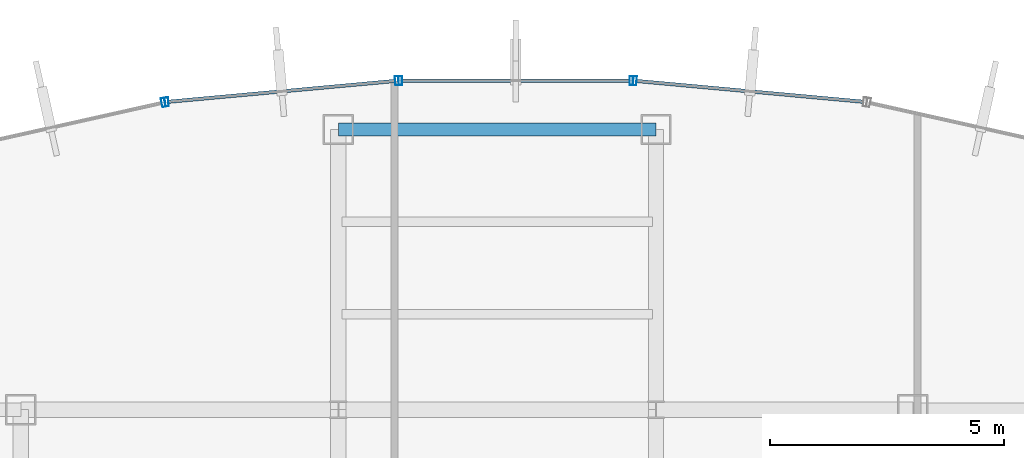
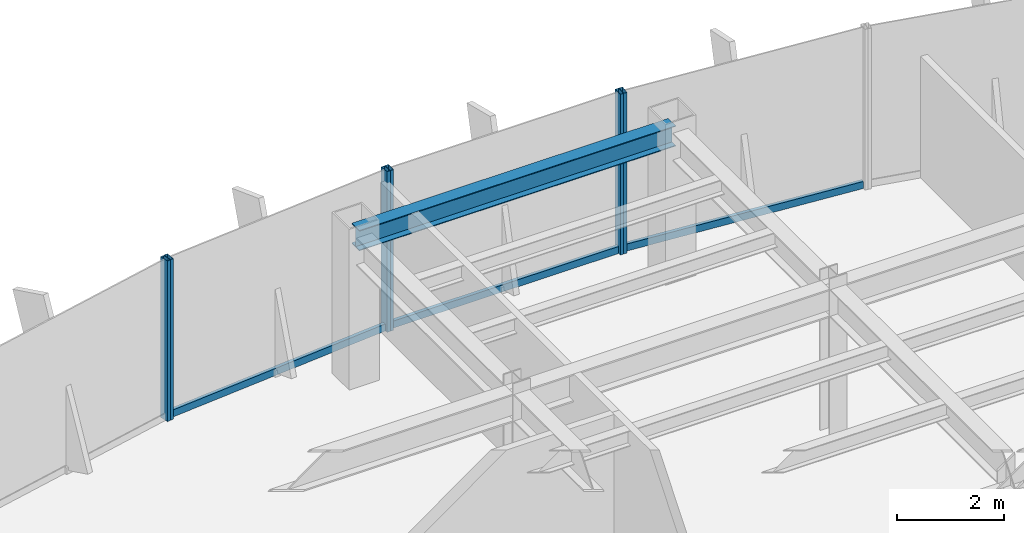
# One storey, part 15 of 23: 9 members, 1 beam, 4 elements without a shape of their own.
"""IFC4 building model written with IfcOpenShell, lengths in metres."""

import ifcopenshell
import ifcopenshell.guid

model = None  # the IFC model being written
_history = None  # IfcOwnerHistory: only IFC2X3 demands one
_inside = {}  # id of a spatial element -> (the spatial element, [elements in it])
_under = {}  # id of a project, library or spatial element -> (it, [spatial elements below it])
_declared = {}  # id of a project -> (the project, [libraries it declares])
_typed = {}  # id of a type object -> (the type object, [elements of that type])
_made_of = {}  # id of a material, layer set ... -> (it, [elements and type objects made of it])


def new_model(schema):
    """Start an empty IFC model of exactly this schema.

    Asked for "IFC4X3", IfcOpenShell would pick the latest addendum, in which some entities
    have other attributes; the version numbers below select the first issue.
    IFC2X3 requires an IfcOwnerHistory on every rooted entity: one is made here for all.
    """
    global model, _history
    if schema == "IFC4X3":
        model = ifcopenshell.file(schema_version=(4, 3, 0, 0))
    else:
        model = ifcopenshell.file(schema=schema)
    _inside.clear()
    _under.clear()
    _declared.clear()
    _typed.clear()
    _made_of.clear()
    _history = None
    if model.schema == "IFC2X3":
        org = make("IfcOrganization", Name="unknown")
        user = make(
            "IfcPersonAndOrganization",
            ThePerson=make("IfcPerson", FamilyName="unknown"),
            TheOrganization=org,
        )
        app = make(
            "IfcApplication",
            ApplicationDeveloper=org,
            Version="unknown",
            ApplicationFullName="unknown",
            ApplicationIdentifier="unknown",
        )
        _history = make(
            "IfcOwnerHistory",
            OwningUser=user,
            OwningApplication=app,
            ChangeAction="ADDED",
            CreationDate=0,
        )
    return model


def make(cls, **values):
    """One entity of the class cls with the attributes given. An attribute that is None is left unset."""
    return model.create_entity(
        cls, **{name: value for name, value in values.items() if value is not None}
    )


def rooted(cls, **values):
    """An entity with a GlobalId (a new one), such as an element, a storey or a relation."""
    return make(cls, GlobalId=ifcopenshell.guid.new(), OwnerHistory=_history, **values)


def si_unit(unit_type, name, prefix=None):
    """IfcSIUnit, for example si_unit("LENGTHUNIT", "METRE", prefix="MILLI")."""
    return make("IfcSIUnit", UnitType=unit_type, Prefix=prefix, Name=name)


def derived_unit(unit_type, elements):
    """IfcDerivedUnit: a product of units, each with its exponent."""
    return make(
        "IfcDerivedUnit",
        Elements=[
            make("IfcDerivedUnitElement", Unit=unit, Exponent=power)
            for unit, power in elements
        ],
        UnitType=unit_type,
    )


def assignment(units):
    """IfcUnitAssignment: the units of a project."""
    return None if units is None else make("IfcUnitAssignment", Units=units)


def point(xyz):
    """IfcCartesianPoint."""
    return None if xyz is None else make("IfcCartesianPoint", Coordinates=xyz)


def direction(xyz):
    """IfcDirection."""
    return None if xyz is None else make("IfcDirection", DirectionRatios=xyz)


def frame(location, z_axis=None, x_axis=None):
    """IfcAxis2Placement3D, a coordinate frame: its origin and axes. An axis left out is left unset."""
    return make(
        "IfcAxis2Placement3D",
        Location=point(location),
        Axis=direction(z_axis),
        RefDirection=direction(x_axis),
    )


def frame_2d(location, x_axis=None):
    """IfcAxis2Placement2D, a coordinate frame in the plane: its origin and x axis."""
    return make(
        "IfcAxis2Placement2D", Location=point(location), RefDirection=direction(x_axis)
    )


def origin():
    """The frame at (0, 0, 0) with its axes left unset."""
    return frame((0.0, 0.0, 0.0))


def origin_2d():
    """The frame at (0, 0) in the plane with its x axis left unset."""
    return frame_2d((0.0, 0.0))


def place(relative_to, where):
    """IfcLocalPlacement: puts the frame where relative to a parent placement (None: the world)."""
    return make(
        "IfcLocalPlacement", PlacementRelTo=relative_to, RelativePlacement=where
    )


def context(
    kind, dimensions, precision=None, world=None, true_north=None, identifier=None
):
    """IfcGeometricRepresentationContext, for example the 3D "Model" context."""
    return make(
        "IfcGeometricRepresentationContext",
        ContextIdentifier=identifier,
        ContextType=kind,
        CoordinateSpaceDimension=dimensions,
        Precision=precision,
        WorldCoordinateSystem=world,
        TrueNorth=true_north,
    )


def subcontext(parent, identifier, kind, view, scale=None):
    """IfcGeometricRepresentationSubContext, for example "Body" below "Model"."""
    return make(
        "IfcGeometricRepresentationSubContext",
        ContextIdentifier=identifier,
        ContextType=kind,
        ParentContext=parent,
        TargetScale=scale,
        TargetView=view,
    )


def project(units=None, contexts=None):
    """IfcProject with its units and contexts."""
    return rooted(
        "IfcProject",
        Name="project",
        RepresentationContexts=contexts,
        UnitsInContext=assignment(units),
    )


def spatial(cls, under=None, at=None, **own):
    """A site, building, storey or space (cls), placed at a placement, below another one or the project."""
    s = rooted(cls, ObjectPlacement=at, **own)
    if under is not None:
        _under.setdefault(under.id(), (under, []))[1].append(s)
    return s


def profile(cls, at=None, kind="AREA", **sizes):
    """A parametric profile (cls). Its sizes go by their IFC names, for example OverallWidth=200.0."""
    return make(cls, ProfileType=kind, Position=at, **sizes)


def hollow_rectangle(**sizes):
    """IfcRectangleHollowProfileDef."""
    return profile("IfcRectangleHollowProfileDef", **sizes)


def i_section(**sizes):
    """IfcIShapeProfileDef."""
    return profile("IfcIShapeProfileDef", **sizes)


def extrude(swept, where, along, depth):
    """IfcExtrudedAreaSolid: the profile swept, set in the frame where, extruded along a direction by depth."""
    return make(
        "IfcExtrudedAreaSolid",
        SweptArea=swept,
        Position=where,
        ExtrudedDirection=direction(along),
        Depth=depth,
    )


def shape(context_of_items, identifier, shape_type, items):
    """IfcShapeRepresentation: the items that make up one representation, for example the "Body"."""
    return make(
        "IfcShapeRepresentation",
        ContextOfItems=context_of_items,
        RepresentationIdentifier=identifier,
        RepresentationType=shape_type,
        Items=items,
    )


def source(mapping_origin, context_of_items, identifier, shape_type, items):
    """IfcRepresentationMap: a shape defined once, which mapped items show again and again."""
    return make(
        "IfcRepresentationMap",
        MappingOrigin=mapping_origin,
        MappedRepresentation=shape(context_of_items, identifier, shape_type, items),
    )


def transform(
    local_origin,
    x_axis=None,
    y_axis=None,
    z_axis=None,
    scale=None,
    scale2=None,
    scale3=None,
    uniform=True,
):
    """IfcCartesianTransformationOperator3D, or its non-uniform kind. x_axis, y_axis, z_axis: its Axis1, 2, 3."""
    if uniform:
        return make(
            "IfcCartesianTransformationOperator3D",
            Axis1=direction(x_axis),
            Axis2=direction(y_axis),
            LocalOrigin=point(local_origin),
            Scale=scale,
            Axis3=direction(z_axis),
        )
    return make(
        "IfcCartesianTransformationOperator3DnonUniform",
        Axis1=direction(x_axis),
        Axis2=direction(y_axis),
        LocalOrigin=point(local_origin),
        Scale=scale,
        Axis3=direction(z_axis),
        Scale2=scale2,
        Scale3=scale3,
    )


def mapped(mapping_source, mapping_target):
    """IfcMappedItem: shows the shape of a source again, moved by a transform."""
    return make(
        "IfcMappedItem", MappingSource=mapping_source, MappingTarget=mapping_target
    )


def material(Name=None, Category=None):
    """IfcMaterial."""
    return make("IfcMaterial", Name=Name, Category=Category)


def material_profile(
    of_material, cross_section, Name=None, Category=None, Priority=None
):
    """IfcMaterialProfile: a cross section and its material."""
    return make(
        "IfcMaterialProfile",
        Name=Name,
        Material=of_material,
        Profile=cross_section,
        Priority=Priority,
        Category=Category,
    )


def profile_set(profiles, Name=None, composite=None):
    """IfcMaterialProfileSet."""
    return make(
        "IfcMaterialProfileSet",
        Name=Name,
        MaterialProfiles=profiles,
        CompositeProfile=composite,
    )


def made_of(thing, what):
    """Note that an element or type object is made of a material, layer set ...; save() writes the relation."""
    if what is not None:
        _made_of.setdefault(what.id(), (what, []))[1].append(thing)
    return thing


def type_object(cls, material=None, **own):
    """A type object (cls), such as IfcWallType, which elements share."""
    return made_of(rooted(cls, **own), material)


def element(
    cls,
    number,
    at=None,
    inside=None,
    cuts=None,
    type_object=None,
    material=None,
    context=None,
    identifier="Body",
    shape_type=None,
    held_by="IfcProductDefinitionShape",
    body=None,
    shapes=None,
    **own,
):
    """One element of the class cls, such as IfcWall. Its Tag is "e" and its number.

    at: its placement. inside: the storey or other place that contains it. cuts: it is an
    opening in that element (IfcRelVoidsElement). A single representation is given by context,
    identifier, shape_type and body (its items); several are given by shapes. held_by: the class
    of the entity that holds the representations. save() writes the other relations.
    """
    e = rooted(cls, Tag="e%d" % number, ObjectPlacement=at, **own)
    if body is not None:
        shapes = [shape(context, identifier, shape_type, body)]
    if shapes is not None:
        e.Representation = make(held_by, Representations=shapes)
    if inside is not None:
        _inside.setdefault(inside.id(), (inside, []))[1].append(e)
    if cuts is not None:
        rooted(
            "IfcRelVoidsElement", RelatingBuildingElement=cuts, RelatedOpeningElement=e
        )
    if type_object is not None:
        _typed.setdefault(type_object.id(), (type_object, []))[1].append(e)
    return made_of(e, material)


def aggregate(whole, parts):
    """IfcRelAggregates: a whole, such as a stair, and the parts it consists of."""
    return rooted("IfcRelAggregates", RelatingObject=whole, RelatedObjects=parts)


def save(model, path):
    """Write the relations noted so far, then the file.

    IfcRelAggregates (storeys below a building ...), IfcRelContainedInSpatialStructure (elements
    in a storey), IfcRelDefinesByType, IfcRelAssociatesMaterial and IfcRelDeclares: one each for
    every whole, place, type object, material and project.
    """
    for whole, parts in _under.values():
        aggregate(whole, parts)
    for where, things in _inside.values():
        rooted(
            "IfcRelContainedInSpatialStructure",
            RelatedElements=things,
            RelatingStructure=where,
        )
    for kind, things in _typed.values():
        rooted("IfcRelDefinesByType", RelatedObjects=things, RelatingType=kind)
    for what, things in _made_of.values():
        rooted("IfcRelAssociatesMaterial", RelatedObjects=things, RelatingMaterial=what)
    for by, libraries in _declared.values():
        rooted("IfcRelDeclares", RelatingContext=by, RelatedDefinitions=libraries)
    model.write(path)


model = new_model("IFC4")

# Units and contexts
model_context = context("Model", 3, precision=1e-05, world=origin(), true_north=direction((0.0, 1.0)))
body_context = subcontext(model_context, "Body", "Model", "MODEL_VIEW")
ifc_project = project(units=[si_unit("LENGTHUNIT", "METRE"), si_unit("AREAUNIT", "SQUARE_METRE"), si_unit("VOLUMEUNIT", "CUBIC_METRE"), si_unit("PLANEANGLEUNIT", "RADIAN"), si_unit("MASSUNIT", "GRAM", prefix="KILO"), derived_unit("THERMALTRANSMITTANCEUNIT", [(si_unit("POWERUNIT", "WATT"), 1), (si_unit("LENGTHUNIT", "METRE"), -2), (si_unit("THERMODYNAMICTEMPERATUREUNIT", "KELVIN"), -1)])], contexts=[model_context])

# Site, building, storey
site_placement = place(None, origin())
site = spatial("IfcSite", under=ifc_project, at=site_placement, CompositionType="ELEMENT")
building_placement = place(site_placement, origin())
building = spatial("IfcBuilding", under=site, at=building_placement, Name="Skarnbrae Concourse Arena and Tower", CompositionType="ELEMENT")
storey_placement = place(building_placement, frame((0.0, 0.0, 140.60009765625)))
storey = spatial("IfcBuildingStorey", under=building, at=storey_placement, Name="L35", CompositionType="ELEMENT", Elevation=140.60009765625)

# Beam
ifc_material_1 = material(Name="Steel CSA G40.21 350W", Category="steel")
ifc_material_profile_1 = material_profile(ifc_material_1, i_section(OverallWidth=0.280029296875, OverallDepth=0.462890625, WebThickness=0.0107421875, FlangeThickness=0.017333984375, at=origin_2d()), Name="W460X113")
ifc_profile_set_1 = profile_set([ifc_material_profile_1], Name="Steel CSA G40.21 350W")
beam_type = type_object("IfcBeamType", Name="BM-SPAN-W460X113", PredefinedType="SPANDREL", material=ifc_profile_set_1)
shared_shape_1 = source(origin(), body_context, "Body", "SweptSolid", [
    extrude(i_section(OverallWidth=0.280029296875, OverallDepth=0.462890625, WebThickness=0.0107421875, FlangeThickness=0.017333984375, at=origin_2d()), origin(), (0.0, 0.0, 1.0), 6.800048828125),
])
beam_placement = place(storey_placement, frame((21.199951171875, 40.39990234375, 3.16845703125), z_axis=(1.0, 0.0, 0.0), x_axis=(0.0, 1.0, 0.0)))
element("IfcBeam", 1, at=beam_placement, inside=storey, type_object=beam_type, Name="L35 Perimeter spandrel Y40.4-1", PredefinedType="SPANDREL", context=body_context, shape_type="MappedRepresentation", body=[
    mapped(shared_shape_1, transform((0.0, 0.0, 0.0))),
])

# Curtain wall, member
ifc_material_2 = material(Name="Bronze anodised aluminium 6063-T6", Category="aluminium")
curtain_wall_type = type_object("IfcCurtainWallType", Name="CW-SYS-04-MIDZONE", PredefinedType="USERDEFINED", material=ifc_material_2)
curtain_wall_1_placement = place(storey_placement, origin())
curtain_wall_1 = element("IfcCurtainWall", 2, at=curtain_wall_1_placement, inside=storey, type_object=curtain_wall_type, Name="L35 Unitised curtain wall CW-L35-E10", ObjectType="UNITISED CURTAIN WALL", PredefinedType="USERDEFINED")
ifc_material_profile_2 = material_profile(ifc_material_2, hollow_rectangle(XDim=0.074951171875, YDim=0.195068359375, WallThickness=0.00439453125, at=origin_2d()), Name="ALU-MULL-75X195")
ifc_profile_set_2 = profile_set([ifc_material_profile_2], Name="Bronze anodised aluminium 6063-T6")
member_type_1 = type_object("IfcMemberType", Name="CWM-CW-04", PredefinedType="MULLION", material=ifc_profile_set_2)
shared_shape_2 = source(origin(), body_context, "Body", "SweptSolid", [
    extrude(hollow_rectangle(XDim=0.074951171875, YDim=0.195068359375, WallThickness=0.00439453125, at=origin_2d()), origin(), (0.0, 0.0, 1.0), 3.64990234375),
])
member_1_placement = place(storey_placement, frame((27.548583984375, 41.442138671875, 0.0), z_axis=(0.0, 0.0, 1.0), x_axis=(-0.995819926016, 0.091338244731, 0.0)))
member_1 = element("IfcMember", 3, at=member_1_placement, type_object=member_type_1, Name="CW-L35-E10 Mullion 2", PredefinedType="MULLION", context=body_context, shape_type="MappedRepresentation", body=[
    mapped(shared_shape_2, transform((0.0, 0.0, 0.0))),
])

# Curtain wall, members
curtain_wall_2_placement = place(storey_placement, origin())
curtain_wall_2 = element("IfcCurtainWall", 4, at=curtain_wall_2_placement, inside=storey, type_object=curtain_wall_type, Name="L35 Unitised curtain wall CW-L35-E11", ObjectType="UNITISED CURTAIN WALL", PredefinedType="USERDEFINED")
member_2_placement = place(storey_placement, frame((27.473876953125, 41.445556640625, 0.0), z_axis=(0.0, 0.0, 1.0), x_axis=(-1.0, 0.0, 0.0)))
member_2 = element("IfcMember", 5, at=member_2_placement, type_object=member_type_1, Name="CW-L35-E11 Mullion 1", PredefinedType="MULLION", context=body_context, shape_type="MappedRepresentation", body=[
    mapped(shared_shape_2, transform((0.0, 0.0, 0.0))),
])
member_3_placement = place(storey_placement, frame((22.526123046875, 41.445556640625, 0.0), z_axis=(0.0, 0.0, 1.0), x_axis=(-1.0, 0.0, 0.0)))
member_3 = element("IfcMember", 6, at=member_3_placement, type_object=member_type_1, Name="CW-L35-E11 Mullion 2", PredefinedType="MULLION", context=body_context, shape_type="MappedRepresentation", body=[
    mapped(shared_shape_2, transform((0.0, 0.0, 0.0))),
])

curtain_wall_3_placement = place(storey_placement, origin())
curtain_wall_3 = element("IfcCurtainWall", 7, at=curtain_wall_3_placement, inside=storey, type_object=curtain_wall_type, Name="L35 Unitised curtain wall CW-L35-E12", ObjectType="UNITISED CURTAIN WALL", PredefinedType="USERDEFINED")
member_4_placement = place(storey_placement, frame((22.451416015625, 41.442138671875, 0.0), z_axis=(0.0, 0.0, 1.0), x_axis=(-0.995819926016, -0.091338244731, 0.0)))
member_4 = element("IfcMember", 8, at=member_4_placement, type_object=member_type_1, Name="CW-L35-E12 Mullion 1", PredefinedType="MULLION", context=body_context, shape_type="MappedRepresentation", body=[
    mapped(shared_shape_2, transform((0.0, 0.0, 0.0))),
])
member_5_placement = place(storey_placement, frame((17.52490234375, 40.990234375, 0.0), z_axis=(0.0, 0.0, 1.0), x_axis=(-0.995819926016, -0.091338244731, 0.0)))
member_5 = element("IfcMember", 9, at=member_5_placement, type_object=member_type_1, Name="CW-L35-E12 Mullion 2", PredefinedType="MULLION", context=body_context, shape_type="MappedRepresentation", body=[
    mapped(shared_shape_2, transform((0.0, 0.0, 0.0))),
])

# Curtain wall, member
curtain_wall_4_placement = place(storey_placement, origin())
curtain_wall_4 = element("IfcCurtainWall", 10, at=curtain_wall_4_placement, inside=storey, type_object=curtain_wall_type, Name="L35 Unitised curtain wall CW-L35-E13", ObjectType="UNITISED CURTAIN WALL", PredefinedType="USERDEFINED")
member_6_placement = place(storey_placement, frame((17.451171875, 40.978759765625, 0.0), z_axis=(0.0, 0.0, 1.0), x_axis=(-0.975936175393, -0.218056372433, 0.0)))
member_6 = element("IfcMember", 11, at=member_6_placement, type_object=member_type_1, Name="CW-L35-E13 Mullion 1", PredefinedType="MULLION", context=body_context, shape_type="MappedRepresentation", body=[
    mapped(shared_shape_2, transform((0.0, 0.0, 0.0))),
])
aggregate(curtain_wall_4, [member_6])

# Member
ifc_material_profile_3 = material_profile(ifc_material_2, hollow_rectangle(XDim=0.074951171875, YDim=0.159912109375, WallThickness=0.00439453125, at=origin_2d()), Name="ALU-TRAN-75X160")
ifc_profile_set_3 = profile_set([ifc_material_profile_3], Name="Bronze anodised aluminium 6063-T6")
member_type_2 = type_object("IfcMemberType", Name="CWT-CW-04", PredefinedType="USERDEFINED", material=ifc_profile_set_3)
shared_shape_3 = source(origin(), body_context, "Body", "SweptSolid", [
    extrude(hollow_rectangle(XDim=0.074951171875, YDim=0.159912109375, WallThickness=0.00439453125, at=origin_2d()), origin(), (0.0, 0.0, 1.0), 4.871826171875),
])
member_7_placement = place(storey_placement, frame((32.4375, 40.993896484375, 0.079833984375), z_axis=(-0.99582308224, 0.091303827287, 0.0), x_axis=(-0.091303827287, -0.99582308224, 0.0)))
member_7 = element("IfcMember", 12, at=member_7_placement, type_object=member_type_2, Name="CW-L35-E10 Transom 1", ObjectType="TRANSOM", PredefinedType="USERDEFINED", context=body_context, shape_type="MappedRepresentation", body=[
    mapped(shared_shape_3, transform((0.0, 0.0, 0.0))),
])

aggregate(curtain_wall_1, [member_1, member_7])

member_8_placement = place(storey_placement, frame((22.4140625, 41.438720703125, 0.079833984375), z_axis=(-0.99582308224, -0.091303827287, 0.0), x_axis=(0.091303827287, -0.99582308224, 0.0)))
member_8 = element("IfcMember", 13, at=member_8_placement, type_object=member_type_2, Name="CW-L35-E12 Transom 1", ObjectType="TRANSOM", PredefinedType="USERDEFINED", context=body_context, shape_type="MappedRepresentation", body=[
    mapped(shared_shape_3, transform((0.0, 0.0, 0.0))),
])

aggregate(curtain_wall_3, [member_4, member_5, member_8])

shared_shape_4 = source(origin(), body_context, "Body", "SweptSolid", [
    extrude(hollow_rectangle(XDim=0.074951171875, YDim=0.159912109375, WallThickness=0.00439453125, at=origin_2d()), origin(), (0.0, 0.0, 1.0), 4.87255859375),
])
member_9_placement = place(storey_placement, frame((27.436279296875, 41.445556640625, 0.079833984375), z_axis=(-1.0, 0.0, 0.0), x_axis=(0.0, -1.0, 0.0)))
member_9 = element("IfcMember", 14, at=member_9_placement, type_object=member_type_2, Name="CW-L35-E11 Transom 1", ObjectType="TRANSOM", PredefinedType="USERDEFINED", context=body_context, shape_type="MappedRepresentation", body=[
    mapped(shared_shape_4, transform((0.0, 0.0, 0.0))),
])

aggregate(curtain_wall_2, [member_2, member_3, member_9])

save(model, "model.ifc")
